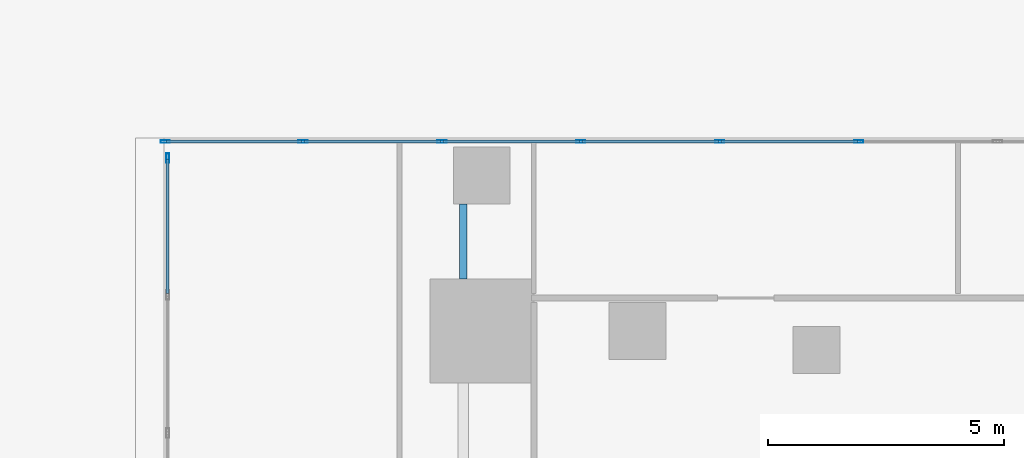
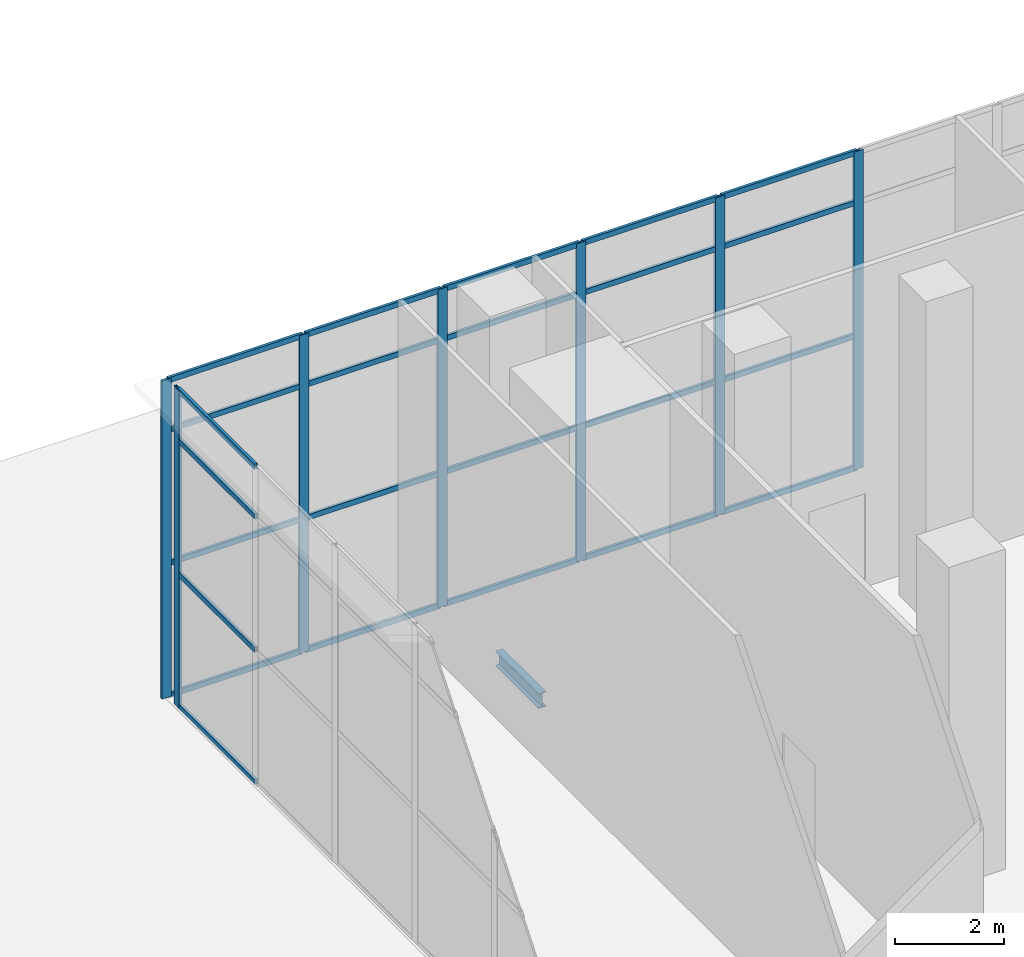
# One storey, part 27 of 52: 31 members, 1 beam, 2 elements without a shape of their own.
"""IFC4 building model written with IfcOpenShell, lengths in metres."""

from ifc_helpers import new_model, si_unit, direction, frame, origin, origin_2d, place, context, subcontext, project, spatial, hollow_rectangle, i_section, extrude, source, transform, mapped, material, material_profile, profile_set, type_object, element, aggregate, save


model = new_model("IFC4")

# Units and contexts
model_context = context("Model", 3, precision=1e-05, world=origin(), true_north=direction((0.0, 1.0)))
body_context = subcontext(model_context, "Body", "Model", "MODEL_VIEW")
ifc_project = project(units=[si_unit("LENGTHUNIT", "METRE"), si_unit("AREAUNIT", "SQUARE_METRE"), si_unit("VOLUMEUNIT", "CUBIC_METRE"), si_unit("PLANEANGLEUNIT", "RADIAN"), si_unit("MASSUNIT", "GRAM", prefix="KILO")], contexts=[model_context])

# Site, building, storey
site_placement = place(None, origin())
site = spatial("IfcSite", under=ifc_project, at=site_placement, CompositionType="ELEMENT")
building_placement = place(site_placement, origin())
building = spatial("IfcBuilding", under=site, at=building_placement, Name="Khomas Fold Tower", CompositionType="ELEMENT")
storey_placement = place(building_placement, origin())
storey = spatial("IfcBuildingStorey", under=building, at=storey_placement, Name="L00", CompositionType="ELEMENT", Elevation=0.0)

# Beam
ifc_material_1 = material(Name="Steel S355", Category="steel")
ifc_material_profile_1 = material_profile(ifc_material_1, i_section(OverallWidth=0.159912109375, OverallDepth=0.330078125, WebThickness=0.007568359375, FlangeThickness=0.011474609375, at=origin_2d()), Name="IPE 330")
ifc_profile_set_1 = profile_set([ifc_material_profile_1], Name="Steel S355")
beam_type = type_object("IfcBeamType", Name="IPE 330 beam JB1", PredefinedType="BEAM", material=ifc_profile_set_1)
shared_shape_1 = source(origin(), body_context, "Body", "SweptSolid", [
    extrude(i_section(OverallWidth=0.159912109375, OverallDepth=0.330078125, WebThickness=0.007568359375, FlangeThickness=0.011474609375, at=origin_2d()), origin(), (0.0, 0.0, 1.0), 1.60009765625),
])
beam_placement = place(storey_placement, frame((49.5, 51.0, -0.514892578125), z_axis=(0.0, 1.0, 0.0), x_axis=(-1.0, 0.0, 0.0)))
element("IfcBeam", 1, at=beam_placement, inside=storey, type_object=beam_type, Name="JB1", PredefinedType="BEAM", context=body_context, shape_type="MappedRepresentation", body=[
    mapped(shared_shape_1, transform((0.0, 0.0, 0.0))),
])

# Curtain wall, members
ifc_material_2 = material(Name="Aluminium framed double glazing", Category="aluminium")
curtain_wall_type = type_object("IfcCurtainWallType", Name="Shopfront glazing PD-CW", PredefinedType="NOTDEFINED", material=ifc_material_2)
curtain_wall_1_placement = place(storey_placement, origin())
curtain_wall_1 = element("IfcCurtainWall", 2, at=curtain_wall_1_placement, inside=storey, type_object=curtain_wall_type, Name="Podium shopfront run", PredefinedType="NOTDEFINED")
ifc_material_3 = material(Name="Aluminium", Category="aluminium")
ifc_material_profile_2 = material_profile(ifc_material_3, hollow_rectangle(XDim=0.06005859375, YDim=0.199951171875, WallThickness=0.00390625, at=origin_2d()), Name="Shopfront glazing mullion PD-CW-M")
ifc_profile_set_2 = profile_set([ifc_material_profile_2], Name="Aluminium")
member_type_1 = type_object("IfcMemberType", Name="Shopfront glazing mullion PD-CW-M", PredefinedType="MULLION", material=ifc_profile_set_2)
shared_shape_2 = source(origin(), body_context, "Body", "SweptSolid", [
    extrude(hollow_rectangle(XDim=0.06005859375, YDim=0.199951171875, WallThickness=0.00390625, at=origin_2d()), origin(), (0.0, 0.0, 1.0), 7.14990234375),
])
member_1_placement = place(storey_placement, frame((57.89453125, 53.919921875, 0.0), z_axis=(0.0, 0.0, 1.0), x_axis=(0.0, -1.0, 0.0)))
member_1 = element("IfcMember", 3, at=member_1_placement, type_object=member_type_1, Name="PD-CW mullion 5", PredefinedType="MULLION", context=body_context, shape_type="MappedRepresentation", body=[
    mapped(shared_shape_2, transform((0.0, 0.0, 0.0))),
])
member_2_placement = place(storey_placement, frame((54.945556640625, 53.919921875, 0.0), z_axis=(0.0, 0.0, 1.0), x_axis=(0.0, -1.0, 0.0)))
member_2 = element("IfcMember", 4, at=member_2_placement, type_object=member_type_1, Name="PD-CW mullion 6", PredefinedType="MULLION", context=body_context, shape_type="MappedRepresentation", body=[
    mapped(shared_shape_2, transform((0.0, 0.0, 0.0))),
])
member_3_placement = place(storey_placement, frame((51.99658203125, 53.919921875, 0.0), z_axis=(0.0, 0.0, 1.0), x_axis=(0.0, -1.0, 0.0)))
member_3 = element("IfcMember", 5, at=member_3_placement, type_object=member_type_1, Name="PD-CW mullion 7", PredefinedType="MULLION", context=body_context, shape_type="MappedRepresentation", body=[
    mapped(shared_shape_2, transform((0.0, 0.0, 0.0))),
])
member_4_placement = place(storey_placement, frame((49.0478515625, 53.919921875, 0.0), z_axis=(0.0, 0.0, 1.0), x_axis=(0.0, -1.0, 0.0)))
member_4 = element("IfcMember", 6, at=member_4_placement, type_object=member_type_1, Name="PD-CW mullion 8", PredefinedType="MULLION", context=body_context, shape_type="MappedRepresentation", body=[
    mapped(shared_shape_2, transform((0.0, 0.0, 0.0))),
])
member_5_placement = place(storey_placement, frame((46.098876953125, 53.919921875, 0.0), z_axis=(0.0, 0.0, 1.0), x_axis=(0.0, -1.0, 0.0)))
member_5 = element("IfcMember", 7, at=member_5_placement, type_object=member_type_1, Name="PD-CW mullion 9", PredefinedType="MULLION", context=body_context, shape_type="MappedRepresentation", body=[
    mapped(shared_shape_2, transform((0.0, 0.0, 0.0))),
])
member_6_placement = place(storey_placement, frame((43.179931640625, 53.919921875, 0.0), z_axis=(0.0, 0.0, 1.0), x_axis=(0.0, -1.0, 0.0)))
member_6 = element("IfcMember", 8, at=member_6_placement, type_object=member_type_1, Name="PD-CW mullion 10", PredefinedType="MULLION", context=body_context, shape_type="MappedRepresentation", body=[
    mapped(shared_shape_2, transform((0.0, 0.0, 0.0))),
])

curtain_wall_2_placement = place(storey_placement, origin())
curtain_wall_2 = element("IfcCurtainWall", 9, at=curtain_wall_2_placement, inside=storey, type_object=curtain_wall_type, Name="Podium shopfront run", PredefinedType="NOTDEFINED")
member_7_placement = place(storey_placement, frame((43.22998046875, 53.570068359375, 0.0), z_axis=(0.0, 0.0, 1.0), x_axis=(1.0, 0.0, 0.0)))
member_7 = element("IfcMember", 10, at=member_7_placement, type_object=member_type_1, Name="PD-CW mullion 1", PredefinedType="MULLION", context=body_context, shape_type="MappedRepresentation", body=[
    mapped(shared_shape_2, transform((0.0, 0.0, 0.0))),
])
ifc_material_4 = material(Name="Aluminium", Category="aluminium")
ifc_material_profile_3 = material_profile(ifc_material_4, hollow_rectangle(XDim=0.06005859375, YDim=0.1201171875, WallThickness=0.00390625, at=origin_2d()), Name="Shopfront glazing transom PD-CW-T")
ifc_profile_set_3 = profile_set([ifc_material_profile_3], Name="Aluminium")
member_type_2 = type_object("IfcMemberType", Name="Shopfront glazing transom PD-CW-T", PredefinedType="USERDEFINED", material=ifc_profile_set_3)
shared_shape_3 = source(origin(), body_context, "Body", "SweptSolid", [
    extrude(hollow_rectangle(XDim=0.06005859375, YDim=0.1201171875, WallThickness=0.00390625, at=origin_2d()), origin(), (0.0, 0.0, 1.0), 2.84326171875),
])
member_8_placement = place(storey_placement, frame((43.22998046875, 53.5400390625, 0.030029296875), z_axis=(0.0, -1.0, 0.0), x_axis=(1.0, 0.0, 0.0)))
member_8 = element("IfcMember", 11, at=member_8_placement, type_object=member_type_2, Name="PD-CW transom 1.1", ObjectType="TRANSOM", PredefinedType="USERDEFINED", context=body_context, shape_type="MappedRepresentation", body=[
    mapped(shared_shape_3, transform((0.0, 0.0, 0.0))),
])
member_9_placement = place(storey_placement, frame((43.22998046875, 53.5400390625, 3.0), z_axis=(0.0, -1.0, 0.0), x_axis=(1.0, 0.0, 0.0)))
member_9 = element("IfcMember", 12, at=member_9_placement, type_object=member_type_2, Name="PD-CW transom 1.2", ObjectType="TRANSOM", PredefinedType="USERDEFINED", context=body_context, shape_type="MappedRepresentation", body=[
    mapped(shared_shape_3, transform((0.0, 0.0, 0.0))),
])
member_10_placement = place(storey_placement, frame((43.22998046875, 53.5400390625, 6.0), z_axis=(0.0, -1.0, 0.0), x_axis=(1.0, 0.0, 0.0)))
member_10 = element("IfcMember", 13, at=member_10_placement, type_object=member_type_2, Name="PD-CW transom 1.3", ObjectType="TRANSOM", PredefinedType="USERDEFINED", context=body_context, shape_type="MappedRepresentation", body=[
    mapped(shared_shape_3, transform((0.0, 0.0, 0.0))),
])
member_11_placement = place(storey_placement, frame((43.22998046875, 53.5400390625, 7.1201171875), z_axis=(0.0, -1.0, 0.0), x_axis=(1.0, 0.0, 0.0)))
member_11 = element("IfcMember", 14, at=member_11_placement, type_object=member_type_2, Name="PD-CW transom 1.4", ObjectType="TRANSOM", PredefinedType="USERDEFINED", context=body_context, shape_type="MappedRepresentation", body=[
    mapped(shared_shape_3, transform((0.0, 0.0, 0.0))),
])
aggregate(curtain_wall_2, [member_7, member_8, member_9, member_10, member_11])

# Member
shared_shape_4 = source(origin(), body_context, "Body", "SweptSolid", [
    extrude(hollow_rectangle(XDim=0.06005859375, YDim=0.1201171875, WallThickness=0.00390625, at=origin_2d()), origin(), (0.0, 0.0, 1.0), 2.85888671875),
])
member_12_placement = place(storey_placement, frame((46.06884765625, 53.919921875, 0.030029296875), z_axis=(-1.0, 0.0, 0.0), x_axis=(0.0, -1.0, 0.0)))
member_12 = element("IfcMember", 15, at=member_12_placement, type_object=member_type_2, Name="PD-CW transom 9.1", ObjectType="TRANSOM", PredefinedType="USERDEFINED", context=body_context, shape_type="MappedRepresentation", body=[
    mapped(shared_shape_4, transform((0.0, 0.0, 0.0))),
])

member_13_placement = place(storey_placement, frame((46.06884765625, 53.919921875, 3.0), z_axis=(-1.0, 0.0, 0.0), x_axis=(0.0, -1.0, 0.0)))
member_13 = element("IfcMember", 16, at=member_13_placement, type_object=member_type_2, Name="PD-CW transom 9.2", ObjectType="TRANSOM", PredefinedType="USERDEFINED", context=body_context, shape_type="MappedRepresentation", body=[
    mapped(shared_shape_4, transform((0.0, 0.0, 0.0))),
])

member_14_placement = place(storey_placement, frame((46.06884765625, 53.919921875, 6.0), z_axis=(-1.0, 0.0, 0.0), x_axis=(0.0, -1.0, 0.0)))
member_14 = element("IfcMember", 17, at=member_14_placement, type_object=member_type_2, Name="PD-CW transom 9.3", ObjectType="TRANSOM", PredefinedType="USERDEFINED", context=body_context, shape_type="MappedRepresentation", body=[
    mapped(shared_shape_4, transform((0.0, 0.0, 0.0))),
])

member_15_placement = place(storey_placement, frame((46.06884765625, 53.919921875, 7.1201171875), z_axis=(-1.0, 0.0, 0.0), x_axis=(0.0, -1.0, 0.0)))
member_15 = element("IfcMember", 18, at=member_15_placement, type_object=member_type_2, Name="PD-CW transom 9.4", ObjectType="TRANSOM", PredefinedType="USERDEFINED", context=body_context, shape_type="MappedRepresentation", body=[
    mapped(shared_shape_4, transform((0.0, 0.0, 0.0))),
])

shared_shape_5 = source(origin(), body_context, "Body", "SweptSolid", [
    extrude(hollow_rectangle(XDim=0.06005859375, YDim=0.1201171875, WallThickness=0.00390625, at=origin_2d()), origin(), (0.0, 0.0, 1.0), 2.888916015625),
])
member_16_placement = place(storey_placement, frame((57.864501953125, 53.919921875, 0.030029296875), z_axis=(-1.0, 0.0, 0.0), x_axis=(0.0, -1.0, 0.0)))
member_16 = element("IfcMember", 19, at=member_16_placement, type_object=member_type_2, Name="PD-CW transom 5.1", ObjectType="TRANSOM", PredefinedType="USERDEFINED", context=body_context, shape_type="MappedRepresentation", body=[
    mapped(shared_shape_5, transform((0.0, 0.0, 0.0))),
])

member_17_placement = place(storey_placement, frame((57.864501953125, 53.919921875, 3.0), z_axis=(-1.0, 0.0, 0.0), x_axis=(0.0, -1.0, 0.0)))
member_17 = element("IfcMember", 20, at=member_17_placement, type_object=member_type_2, Name="PD-CW transom 5.2", ObjectType="TRANSOM", PredefinedType="USERDEFINED", context=body_context, shape_type="MappedRepresentation", body=[
    mapped(shared_shape_5, transform((0.0, 0.0, 0.0))),
])

member_18_placement = place(storey_placement, frame((57.864501953125, 53.919921875, 6.0), z_axis=(-1.0, 0.0, 0.0), x_axis=(0.0, -1.0, 0.0)))
member_18 = element("IfcMember", 21, at=member_18_placement, type_object=member_type_2, Name="PD-CW transom 5.3", ObjectType="TRANSOM", PredefinedType="USERDEFINED", context=body_context, shape_type="MappedRepresentation", body=[
    mapped(shared_shape_5, transform((0.0, 0.0, 0.0))),
])

member_19_placement = place(storey_placement, frame((57.864501953125, 53.919921875, 7.1201171875), z_axis=(-1.0, 0.0, 0.0), x_axis=(0.0, -1.0, 0.0)))
member_19 = element("IfcMember", 22, at=member_19_placement, type_object=member_type_2, Name="PD-CW transom 5.4", ObjectType="TRANSOM", PredefinedType="USERDEFINED", context=body_context, shape_type="MappedRepresentation", body=[
    mapped(shared_shape_5, transform((0.0, 0.0, 0.0))),
])

member_20_placement = place(storey_placement, frame((54.91552734375, 53.919921875, 0.030029296875), z_axis=(-1.0, 0.0, 0.0), x_axis=(0.0, -1.0, 0.0)))
member_20 = element("IfcMember", 23, at=member_20_placement, type_object=member_type_2, Name="PD-CW transom 6.1", ObjectType="TRANSOM", PredefinedType="USERDEFINED", context=body_context, shape_type="MappedRepresentation", body=[
    mapped(shared_shape_5, transform((0.0, 0.0, 0.0))),
])

member_21_placement = place(storey_placement, frame((54.91552734375, 53.919921875, 3.0), z_axis=(-1.0, 0.0, 0.0), x_axis=(0.0, -1.0, 0.0)))
member_21 = element("IfcMember", 24, at=member_21_placement, type_object=member_type_2, Name="PD-CW transom 6.2", ObjectType="TRANSOM", PredefinedType="USERDEFINED", context=body_context, shape_type="MappedRepresentation", body=[
    mapped(shared_shape_5, transform((0.0, 0.0, 0.0))),
])

member_22_placement = place(storey_placement, frame((54.91552734375, 53.919921875, 6.0), z_axis=(-1.0, 0.0, 0.0), x_axis=(0.0, -1.0, 0.0)))
member_22 = element("IfcMember", 25, at=member_22_placement, type_object=member_type_2, Name="PD-CW transom 6.3", ObjectType="TRANSOM", PredefinedType="USERDEFINED", context=body_context, shape_type="MappedRepresentation", body=[
    mapped(shared_shape_5, transform((0.0, 0.0, 0.0))),
])

member_23_placement = place(storey_placement, frame((54.91552734375, 53.919921875, 7.1201171875), z_axis=(-1.0, 0.0, 0.0), x_axis=(0.0, -1.0, 0.0)))
member_23 = element("IfcMember", 26, at=member_23_placement, type_object=member_type_2, Name="PD-CW transom 6.4", ObjectType="TRANSOM", PredefinedType="USERDEFINED", context=body_context, shape_type="MappedRepresentation", body=[
    mapped(shared_shape_5, transform((0.0, 0.0, 0.0))),
])

member_24_placement = place(storey_placement, frame((49.017822265625, 53.919921875, 0.030029296875), z_axis=(-1.0, 0.0, 0.0), x_axis=(0.0, -1.0, 0.0)))
member_24 = element("IfcMember", 27, at=member_24_placement, type_object=member_type_2, Name="PD-CW transom 8.1", ObjectType="TRANSOM", PredefinedType="USERDEFINED", context=body_context, shape_type="MappedRepresentation", body=[
    mapped(shared_shape_5, transform((0.0, 0.0, 0.0))),
])

member_25_placement = place(storey_placement, frame((49.017822265625, 53.919921875, 3.0), z_axis=(-1.0, 0.0, 0.0), x_axis=(0.0, -1.0, 0.0)))
member_25 = element("IfcMember", 28, at=member_25_placement, type_object=member_type_2, Name="PD-CW transom 8.2", ObjectType="TRANSOM", PredefinedType="USERDEFINED", context=body_context, shape_type="MappedRepresentation", body=[
    mapped(shared_shape_5, transform((0.0, 0.0, 0.0))),
])

member_26_placement = place(storey_placement, frame((49.017822265625, 53.919921875, 6.0), z_axis=(-1.0, 0.0, 0.0), x_axis=(0.0, -1.0, 0.0)))
member_26 = element("IfcMember", 29, at=member_26_placement, type_object=member_type_2, Name="PD-CW transom 8.3", ObjectType="TRANSOM", PredefinedType="USERDEFINED", context=body_context, shape_type="MappedRepresentation", body=[
    mapped(shared_shape_5, transform((0.0, 0.0, 0.0))),
])

member_27_placement = place(storey_placement, frame((49.017822265625, 53.919921875, 7.1201171875), z_axis=(-1.0, 0.0, 0.0), x_axis=(0.0, -1.0, 0.0)))
member_27 = element("IfcMember", 30, at=member_27_placement, type_object=member_type_2, Name="PD-CW transom 8.4", ObjectType="TRANSOM", PredefinedType="USERDEFINED", context=body_context, shape_type="MappedRepresentation", body=[
    mapped(shared_shape_5, transform((0.0, 0.0, 0.0))),
])

shared_shape_6 = source(origin(), body_context, "Body", "SweptSolid", [
    extrude(hollow_rectangle(XDim=0.06005859375, YDim=0.1201171875, WallThickness=0.00390625, at=origin_2d()), origin(), (0.0, 0.0, 1.0), 2.888671875),
])
member_28_placement = place(storey_placement, frame((51.966552734375, 53.919921875, 0.030029296875), z_axis=(-1.0, 0.0, 0.0), x_axis=(0.0, -1.0, 0.0)))
member_28 = element("IfcMember", 31, at=member_28_placement, type_object=member_type_2, Name="PD-CW transom 7.1", ObjectType="TRANSOM", PredefinedType="USERDEFINED", context=body_context, shape_type="MappedRepresentation", body=[
    mapped(shared_shape_6, transform((0.0, 0.0, 0.0))),
])

member_29_placement = place(storey_placement, frame((51.966552734375, 53.919921875, 3.0), z_axis=(-1.0, 0.0, 0.0), x_axis=(0.0, -1.0, 0.0)))
member_29 = element("IfcMember", 32, at=member_29_placement, type_object=member_type_2, Name="PD-CW transom 7.2", ObjectType="TRANSOM", PredefinedType="USERDEFINED", context=body_context, shape_type="MappedRepresentation", body=[
    mapped(shared_shape_6, transform((0.0, 0.0, 0.0))),
])

member_30_placement = place(storey_placement, frame((51.966552734375, 53.919921875, 6.0), z_axis=(-1.0, 0.0, 0.0), x_axis=(0.0, -1.0, 0.0)))
member_30 = element("IfcMember", 33, at=member_30_placement, type_object=member_type_2, Name="PD-CW transom 7.3", ObjectType="TRANSOM", PredefinedType="USERDEFINED", context=body_context, shape_type="MappedRepresentation", body=[
    mapped(shared_shape_6, transform((0.0, 0.0, 0.0))),
])

member_31_placement = place(storey_placement, frame((51.966552734375, 53.919921875, 7.1201171875), z_axis=(-1.0, 0.0, 0.0), x_axis=(0.0, -1.0, 0.0)))
member_31 = element("IfcMember", 34, at=member_31_placement, type_object=member_type_2, Name="PD-CW transom 7.4", ObjectType="TRANSOM", PredefinedType="USERDEFINED", context=body_context, shape_type="MappedRepresentation", body=[
    mapped(shared_shape_6, transform((0.0, 0.0, 0.0))),
])

aggregate(curtain_wall_1, [member_1, member_2, member_3, member_4, member_5, member_6, member_16, member_17, member_18, member_19, member_20, member_21, member_22, member_23, member_28, member_29, member_30, member_31, member_24, member_25, member_26, member_27, member_12, member_13, member_14, member_15])

save(model, "model.ifc")
